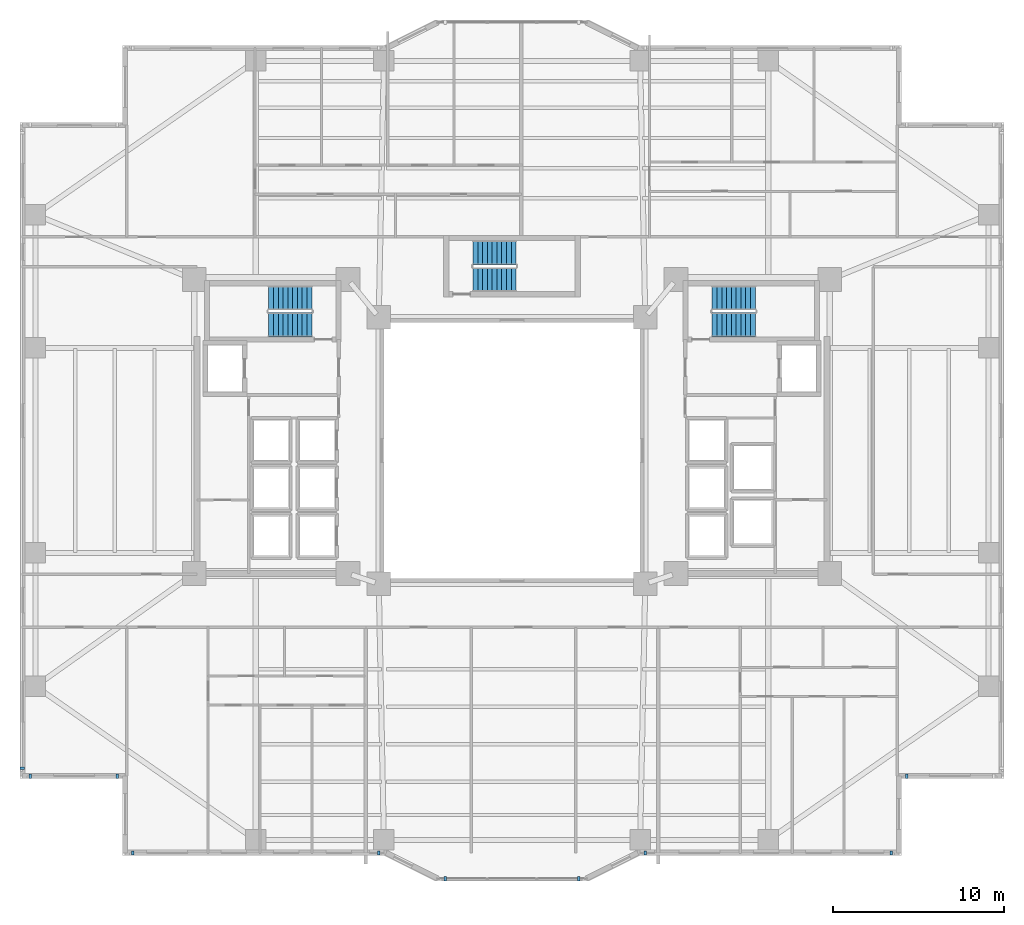
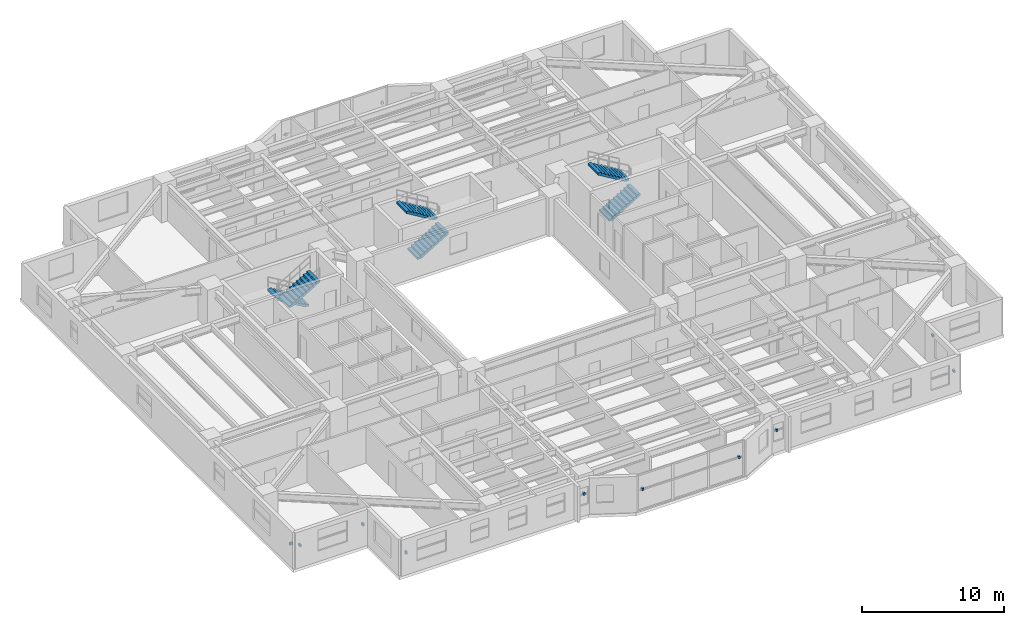
# One storey, part 15 of 20: 10 discrete accessories, 6 stair flights, 3 elements without a shape of their own.
"""IFC4 building model written with IfcOpenShell, lengths in metres."""

from ifc_helpers import new_model, si_unit, direction, frame, origin, origin_2d, place, context, subcontext, project, spatial, polyline, rectangle, outline, extrude, material, type_object, element, aggregate, save


model = new_model("IFC4")

# Units and contexts
model_context = context("Model", 3, precision=1e-05, world=origin(), true_north=direction((0.0, 1.0)))
body_context = subcontext(model_context, "Body", "Model", "MODEL_VIEW")
ifc_project = project(units=[si_unit("LENGTHUNIT", "METRE"), si_unit("AREAUNIT", "SQUARE_METRE"), si_unit("VOLUMEUNIT", "CUBIC_METRE"), si_unit("PLANEANGLEUNIT", "RADIAN"), si_unit("MASSUNIT", "GRAM", prefix="KILO")], contexts=[model_context])

# Site, building, storey
site_placement = place(None, origin())
site = spatial("IfcSite", under=ifc_project, at=site_placement, CompositionType="ELEMENT")
building_placement = place(site_placement, origin())
building = spatial("IfcBuilding", under=site, at=building_placement, Name="Tarnavaz Court Tower", CompositionType="ELEMENT")
storey_placement = place(building_placement, frame((0.0, 0.0, 30.699951171875)))
storey = spatial("IfcBuildingStorey", under=building, at=storey_placement, Name="L07", CompositionType="ELEMENT", Elevation=30.699951171875)

# Stair, stair flights
ifc_material_1 = material(Name="Concrete C40/50", Category="concrete")
stair_type = type_object("IfcStairType", Name="ST-TWR-20R", PredefinedType="HALF_TURN_STAIR", material=ifc_material_1)
stair_1_placement = place(storey_placement, origin())
stair_1 = element("IfcStair", 1, at=stair_1_placement, inside=storey, type_object=stair_type, Name="L07 West Core Pressurized Exit Stair ST-W1", PredefinedType="HALF_TURN_STAIR")
stair_flight_type = type_object("IfcStairFlightType", Name="SFL-RC-20R", PredefinedType="STRAIGHT", material=ifc_material_1)
stair_flight_1_placement = place(storey_placement, frame((-11.719970703125, 8.929931640625, 0.0), z_axis=(0.0, 0.0, 1.0), x_axis=(-1.0, 0.0, 0.0)))
stair_flight_1 = element("IfcStairFlight", 2, at=stair_flight_1_placement, type_object=stair_flight_type, Name="ST-W1 flight 1", NumberOfRisers=10, NumberOfTreads=9, PredefinedType="STRAIGHT", RiserHeight=0.1675, TreadLength=0.28, context=body_context, shape_type="SweptSolid", body=[
    extrude(outline(polyline([(0.0, 0.0), (0.0, 0.16748046875), (0.280029296875, 0.16748046875), (0.280029296875, 0.3349609375), (0.56005859375, 0.3349609375), (0.56005859375, 0.50244140625), (0.840087890625, 0.50244140625), (0.840087890625, 0.669921875), (1.1201171875, 0.669921875), (1.1201171875, 0.83740234375), (1.39990234375, 0.83740234375), (1.39990234375, 1.0048828125), (1.679931640625, 1.0048828125), (1.679931640625, 1.172607421875), (1.9599609375, 1.172607421875), (1.9599609375, 1.340087890625), (2.239990234375, 1.340087890625), (2.239990234375, 1.507568359375), (2.52001953125, 1.507568359375), (2.52001953125, 1.675048828125), (2.52001953125, 1.332763671875), (0.2919921875, 0.0), (0.0, 0.0)])), frame((0.0, 0.7099609375, 0.0), z_axis=(0.0, -1.0, 0.0), x_axis=(1.0, 0.0, 0.0)), (0.0, 0.0, 1.0), 1.419921875),
])
stair_flight_2_placement = place(storey_placement, frame((-14.239990234375, 7.360107421875, 1.675048828125), z_axis=(0.0, 0.0, 1.0), x_axis=(1.0, 0.0, 0.0)))
stair_flight_2 = element("IfcStairFlight", 3, at=stair_flight_2_placement, type_object=stair_flight_type, Name="ST-W1 flight 2", NumberOfRisers=10, NumberOfTreads=9, PredefinedType="STRAIGHT", RiserHeight=0.1675, TreadLength=0.28, context=body_context, shape_type="SweptSolid", body=[
    extrude(outline(polyline([(0.0, 0.0), (0.0, 0.16748046875), (0.280029296875, 0.16748046875), (0.280029296875, 0.3349609375), (0.56005859375, 0.3349609375), (0.56005859375, 0.50244140625), (0.840087890625, 0.50244140625), (0.840087890625, 0.669921875), (1.1201171875, 0.669921875), (1.1201171875, 0.83740234375), (1.39990234375, 0.83740234375), (1.39990234375, 1.0048828125), (1.679931640625, 1.0048828125), (1.679931640625, 1.172607421875), (1.9599609375, 1.172607421875), (1.9599609375, 1.340087890625), (2.239990234375, 1.340087890625), (2.239990234375, 1.507568359375), (2.52001953125, 1.507568359375), (2.52001953125, 1.675048828125), (2.52001953125, 1.332763671875), (0.2919921875, 0.0), (0.0, 0.0)])), frame((0.0, 0.7099609375, 0.0), z_axis=(0.0, -1.0, 0.0), x_axis=(1.0, 0.0, 0.0)), (0.0, 0.0, 1.0), 1.419921875),
])
aggregate(stair_1, [stair_flight_1, stair_flight_2])

stair_2_placement = place(storey_placement, origin())
stair_2 = element("IfcStair", 4, at=stair_2_placement, inside=storey, type_object=stair_type, Name="L07 East Core Pressurized Exit Stair ST-E1", PredefinedType="HALF_TURN_STAIR")
stair_flight_3_placement = place(storey_placement, frame((11.719970703125, 7.360107421875, 0.0), z_axis=(0.0, 0.0, 1.0), x_axis=(1.0, 0.0, 0.0)))
stair_flight_3 = element("IfcStairFlight", 5, at=stair_flight_3_placement, type_object=stair_flight_type, Name="ST-E1 flight 1", NumberOfRisers=10, NumberOfTreads=9, PredefinedType="STRAIGHT", RiserHeight=0.1675, TreadLength=0.28, context=body_context, shape_type="SweptSolid", body=[
    extrude(outline(polyline([(0.0, 0.0), (0.0, 0.16748046875), (0.280029296875, 0.16748046875), (0.280029296875, 0.3349609375), (0.56005859375, 0.3349609375), (0.56005859375, 0.50244140625), (0.840087890625, 0.50244140625), (0.840087890625, 0.669921875), (1.1201171875, 0.669921875), (1.1201171875, 0.83740234375), (1.39990234375, 0.83740234375), (1.39990234375, 1.0048828125), (1.679931640625, 1.0048828125), (1.679931640625, 1.172607421875), (1.9599609375, 1.172607421875), (1.9599609375, 1.340087890625), (2.239990234375, 1.340087890625), (2.239990234375, 1.507568359375), (2.52001953125, 1.507568359375), (2.52001953125, 1.675048828125), (2.52001953125, 1.332763671875), (0.2919921875, 0.0), (0.0, 0.0)])), frame((0.0, 0.7099609375, 0.0), z_axis=(0.0, -1.0, 0.0), x_axis=(1.0, 0.0, 0.0)), (0.0, 0.0, 1.0), 1.419921875),
])
stair_flight_4_placement = place(storey_placement, frame((14.239990234375, 8.929931640625, 1.675048828125), z_axis=(0.0, 0.0, 1.0), x_axis=(-1.0, 0.0, 0.0)))
stair_flight_4 = element("IfcStairFlight", 6, at=stair_flight_4_placement, type_object=stair_flight_type, Name="ST-E1 flight 2", NumberOfRisers=10, NumberOfTreads=9, PredefinedType="STRAIGHT", RiserHeight=0.1675, TreadLength=0.28, context=body_context, shape_type="SweptSolid", body=[
    extrude(outline(polyline([(0.0, 0.0), (0.0, 0.16748046875), (0.280029296875, 0.16748046875), (0.280029296875, 0.3349609375), (0.56005859375, 0.3349609375), (0.56005859375, 0.50244140625), (0.840087890625, 0.50244140625), (0.840087890625, 0.669921875), (1.1201171875, 0.669921875), (1.1201171875, 0.83740234375), (1.39990234375, 0.83740234375), (1.39990234375, 1.0048828125), (1.679931640625, 1.0048828125), (1.679931640625, 1.172607421875), (1.9599609375, 1.172607421875), (1.9599609375, 1.340087890625), (2.239990234375, 1.340087890625), (2.239990234375, 1.507568359375), (2.52001953125, 1.507568359375), (2.52001953125, 1.675048828125), (2.52001953125, 1.332763671875), (0.2919921875, 0.0), (0.0, 0.0)])), frame((0.0, 0.7099609375, 0.0), z_axis=(0.0, -1.0, 0.0), x_axis=(1.0, 0.0, 0.0)), (0.0, 0.0, 1.0), 1.419921875),
])
aggregate(stair_2, [stair_flight_3, stair_flight_4])

stair_3_placement = place(storey_placement, origin())
stair_3 = element("IfcStair", 7, at=stair_3_placement, inside=storey, type_object=stair_type, Name="L07 North Ring Pressurized Exit Stair ST-N1", PredefinedType="HALF_TURN_STAIR")
stair_flight_5_placement = place(storey_placement, frame((-2.280029296875, 10.010009765625, 0.0), z_axis=(0.0, 0.0, 1.0), x_axis=(1.0, 0.0, 0.0)))
stair_flight_5 = element("IfcStairFlight", 8, at=stair_flight_5_placement, type_object=stair_flight_type, Name="ST-N1 flight 1", NumberOfRisers=10, NumberOfTreads=9, PredefinedType="STRAIGHT", RiserHeight=0.1675, TreadLength=0.28, context=body_context, shape_type="SweptSolid", body=[
    extrude(outline(polyline([(0.0, 0.0), (0.0, 0.16748046875), (0.280029296875, 0.16748046875), (0.280029296875, 0.3349609375), (0.56005859375, 0.3349609375), (0.56005859375, 0.50244140625), (0.840087890625, 0.50244140625), (0.840087890625, 0.669921875), (1.1201171875, 0.669921875), (1.1201171875, 0.83740234375), (1.39990234375, 0.83740234375), (1.39990234375, 1.0048828125), (1.679931640625, 1.0048828125), (1.679931640625, 1.172607421875), (1.9599609375, 1.172607421875), (1.9599609375, 1.340087890625), (2.239990234375, 1.340087890625), (2.239990234375, 1.507568359375), (2.52001953125, 1.507568359375), (2.52001953125, 1.675048828125), (2.52001953125, 1.332763671875), (0.2919921875, 0.0), (0.0, 0.0)])), frame((0.0, 0.7099609375, 0.0), z_axis=(0.0, -1.0, 0.0), x_axis=(1.0, 0.0, 0.0)), (0.0, 0.0, 1.0), 1.419921875),
])
stair_flight_6_placement = place(storey_placement, frame((0.239990234375, 11.580078125, 1.675048828125), z_axis=(0.0, 0.0, 1.0), x_axis=(-1.0, 0.0, 0.0)))
stair_flight_6 = element("IfcStairFlight", 9, at=stair_flight_6_placement, type_object=stair_flight_type, Name="ST-N1 flight 2", NumberOfRisers=10, NumberOfTreads=9, PredefinedType="STRAIGHT", RiserHeight=0.1675, TreadLength=0.28, context=body_context, shape_type="SweptSolid", body=[
    extrude(outline(polyline([(0.0, 0.0), (0.0, 0.16748046875), (0.280029296875, 0.16748046875), (0.280029296875, 0.3349609375), (0.56005859375, 0.3349609375), (0.56005859375, 0.50244140625), (0.840087890625, 0.50244140625), (0.840087890625, 0.669921875), (1.1201171875, 0.669921875), (1.1201171875, 0.83740234375), (1.39990234375, 0.83740234375), (1.39990234375, 1.0048828125), (1.679931640625, 1.0048828125), (1.679931640625, 1.172607421875), (1.9599609375, 1.172607421875), (1.9599609375, 1.340087890625), (2.239990234375, 1.340087890625), (2.239990234375, 1.507568359375), (2.52001953125, 1.507568359375), (2.52001953125, 1.675048828125), (2.52001953125, 1.332763671875), (0.2919921875, 0.0), (0.0, 0.0)])), frame((0.0, 0.7099609375, 0.0), z_axis=(0.0, -1.0, 0.0), x_axis=(1.0, 0.0, 0.0)), (0.0, 0.0, 1.0), 1.419921875),
])
aggregate(stair_3, [stair_flight_5, stair_flight_6])

# Discrete accessories
ifc_material_2 = material(Name="Anodised Aluminium 6063-T6", Category="aluminium")
discrete_accessory_type = type_object("IfcDiscreteAccessoryType", Name="DA-BRKT-ALU", PredefinedType="BRACKET", material=ifc_material_2)
for number, where, z_axis, x_axis, name in (
    (10, (-23.10009765625, -19.070068359375, 1.75), (0.0, 0.0, 1.0), (-1.0, 0.0, 0.0), "L07 Baguette Outrigger Bracket FBG01-1"),
    (11, (-28.199951171875, -19.070068359375, 1.75), (0.0, 0.0, 1.0), (-1.0, 0.0, 0.0), "L07 Baguette Outrigger Bracket FBG01-2"),
    (12, (-28.669921875, -18.60009765625, 1.75), (0.0, 0.0, 1.0), (0.0, 1.0, 0.0), "L07 Baguette Outrigger Bracket FBG02-1"),
    (13, (23.10009765625, -19.070068359375, 1.75), (0.0, 0.0, 1.0), (-1.0, 0.0, 0.0), "L07 Baguette Outrigger Bracket FBG13-2"),
    (14, (22.199951171875, -23.570068359375, 1.75), (0.0, 0.0, 1.0), (-1.0, 0.0, 0.0), "L07 Baguette Outrigger Bracket FBG15-1"),
    (15, (7.800048828125, -23.570068359375, 1.75), (0.0, 0.0, 1.0), (-1.0, 0.0, 0.0), "L07 Baguette Outrigger Bracket FBG15-2"),
    (16, (3.89990234375, -25.070068359375, 1.7001953125), (0.0, 0.0, 1.0), (-1.0, 0.0, 0.0), "L07 Baguette Outrigger Bracket PBG17-1"),
    (17, (-3.89990234375, -25.070068359375, 1.7001953125), (0.0, 0.0, 1.0), (-1.0, 0.0, 0.0), "L07 Baguette Outrigger Bracket PBG17-2"),
    (18, (-7.800048828125, -23.570068359375, 1.75), (0.0, 0.0, 1.0), (-1.0, 0.0, 0.0), "L07 Baguette Outrigger Bracket FBG19-1"),
    (19, (-22.199951171875, -23.570068359375, 1.75), (0.0, 0.0, 1.0), (-1.0, 0.0, 0.0), "L07 Baguette Outrigger Bracket FBG19-2"),
):
    element("IfcDiscreteAccessory", number, at=place(storey_placement, frame(where, z_axis=z_axis, x_axis=x_axis)), inside=storey, type_object=discrete_accessory_type, Name=name, PredefinedType="BRACKET", context=body_context, shape_type="SweptSolid", body=[
        extrude(rectangle(XDim=0.139892578125, YDim=0.239990234375, at=origin_2d()), origin(), (0.0, 0.0, 1.0), 0.199951171875),
    ])

save(model, "model.ifc")
